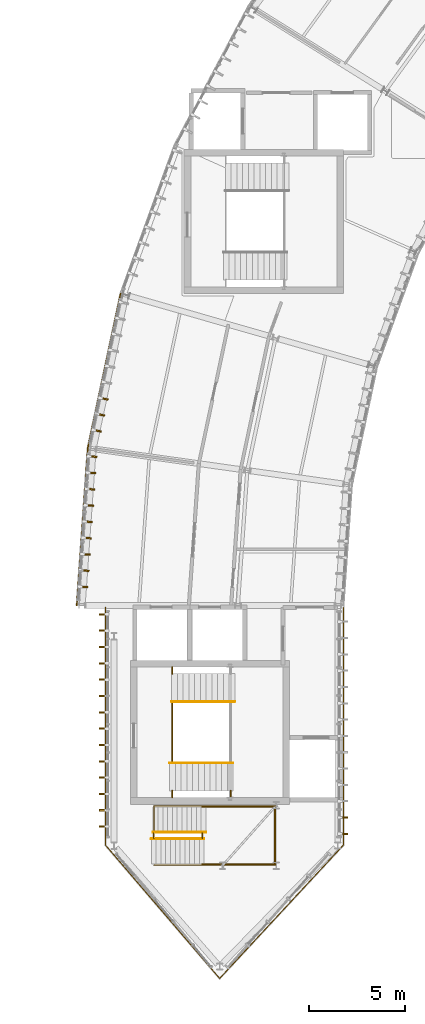
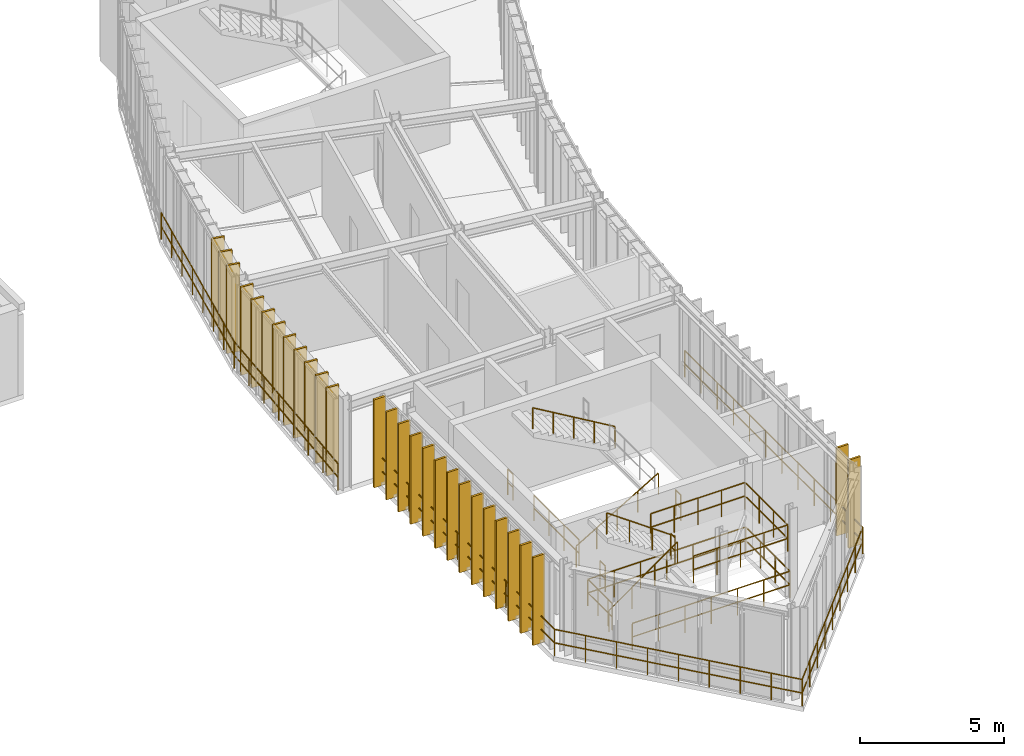
# One storey, part 35 of 41: 28 coverings, 16 railings.
"""IFC4 building model written with IfcOpenShell, lengths in metres."""

from ifc_helpers import new_model, si_unit, direction, frame, origin, origin_2d, place, context, subcontext, project, spatial, rectangle, circle, extrude, material, layer, layer_set, type_object, element, save


model = new_model("IFC4")

# Units and contexts
model_context = context("Model", 3, precision=1e-05, world=origin(), true_north=direction((0.0, 1.0)))
body_context = subcontext(model_context, "Body", "Model", "MODEL_VIEW")
ifc_project = project(units=[si_unit("LENGTHUNIT", "METRE"), si_unit("AREAUNIT", "SQUARE_METRE"), si_unit("VOLUMEUNIT", "CUBIC_METRE"), si_unit("PLANEANGLEUNIT", "RADIAN"), si_unit("MASSUNIT", "GRAM", prefix="KILO"), si_unit("THERMODYNAMICTEMPERATUREUNIT", "KELVIN"), si_unit("POWERUNIT", "WATT")], contexts=[model_context])

# Site, building, storey
site_placement = place(None, origin())
site = spatial("IfcSite", under=ifc_project, at=site_placement, CompositionType="ELEMENT")
building_placement = place(site_placement, origin())
building = spatial("IfcBuilding", under=site, at=building_placement, Name="Solvatero Civic Police Headquarters", CompositionType="ELEMENT")
storey_placement = place(building_placement, frame((0.0, 0.0, 17.699951171875)))
storey = spatial("IfcBuildingStorey", under=building, at=storey_placement, Name="L04", CompositionType="ELEMENT", Elevation=17.699951171875)

# Coverings
ifc_material_1 = material(Name="Anodized Bronze Aluminium", Category="aluminium")
ifc_layer = layer(ifc_material_1, 0.080078125)
ifc_layer_set = layer_set([ifc_layer], Name="Anodized Bronze Aluminium")
covering_type = type_object("IfcCoveringType", Name="COV-FIN-480", PredefinedType="CLADDING", material=ifc_layer_set)
for number, where, z_axis, x_axis, name in (
    (1, (36.455322265625, 36.77099609375, -0.02001953125), (0.0, 0.0, 1.0), (-0.207911690818, -0.978147600734, 0.0), "Vertical Brise-Soleil Fin 0944"),
    (2, (36.278564453125, 35.939453125, -0.02001953125), (0.0, 0.0, 1.0), (-0.207911690818, -0.978147600734, 0.0), "Vertical Brise-Soleil Fin 0945"),
    (3, (36.101806640625, 35.10791015625, -0.02001953125), (0.0, 0.0, 1.0), (-0.207911690818, -0.978147600734, 0.0), "Vertical Brise-Soleil Fin 0946"),
    (4, (35.872802734375, 33.7548828125, -0.02001953125), (0.0, 0.0, 1.0), (-0.069739062956, -0.997565267588, 0.0), "Vertical Brise-Soleil Fin 0954"),
    (5, (35.8134765625, 32.906982421875, -0.02001953125), (0.0, 0.0, 1.0), (-0.069739062956, -0.997565267588, 0.0), "Vertical Brise-Soleil Fin 0955"),
    (6, (35.754150390625, 32.05908203125, -0.02001953125), (0.0, 0.0, 1.0), (-0.069739062956, -0.997565267588, 0.0), "Vertical Brise-Soleil Fin 0956"),
    (7, (35.69482421875, 31.211181640625, -0.02001953125), (0.0, 0.0, 1.0), (-0.069739062956, -0.997565267588, 0.0), "Vertical Brise-Soleil Fin 0957"),
    (8, (35.635498046875, 30.36328125, -0.02001953125), (0.0, 0.0, 1.0), (-0.069739062956, -0.997565267588, 0.0), "Vertical Brise-Soleil Fin 0958"),
    (9, (35.576416015625, 29.515380859375, -0.02001953125), (0.0, 0.0, 1.0), (-0.069739062956, -0.997565267588, 0.0), "Vertical Brise-Soleil Fin 0959"),
    (10, (35.51708984375, 28.66748046875, -0.02001953125), (0.0, 0.0, 1.0), (-0.069739062956, -0.997565267588, 0.0), "Vertical Brise-Soleil Fin 0960"),
    (11, (35.457763671875, 27.8193359375, -0.02001953125), (0.0, 0.0, 1.0), (-0.069739062956, -0.997565267588, 0.0), "Vertical Brise-Soleil Fin 0961"),
    (12, (35.3984375, 26.971435546875, -0.02001953125), (0.0, 0.0, 1.0), (-0.069739062956, -0.997565267588, 0.0), "Vertical Brise-Soleil Fin 0962"),
    (13, (36.469970703125, 25.5400390625, -0.02001953125), (0.0, 0.0, 1.0), (0.0, -1.0, 0.0), "Vertical Brise-Soleil Fin 0970"),
    (14, (36.469970703125, 24.68994140625, -0.02001953125), (0.0, 0.0, 1.0), (0.0, -1.0, 0.0), "Vertical Brise-Soleil Fin 0971"),
    (15, (36.469970703125, 23.840087890625, -0.02001953125), (0.0, 0.0, 1.0), (0.0, -1.0, 0.0), "Vertical Brise-Soleil Fin 0972"),
    (16, (36.469970703125, 22.989990234375, -0.02001953125), (0.0, 0.0, 1.0), (0.0, -1.0, 0.0), "Vertical Brise-Soleil Fin 0973"),
    (17, (36.469970703125, 22.139892578125, -0.02001953125), (0.0, 0.0, 1.0), (0.0, -1.0, 0.0), "Vertical Brise-Soleil Fin 0974"),
    (18, (36.469970703125, 21.2900390625, -0.02001953125), (0.0, 0.0, 1.0), (0.0, -1.0, 0.0), "Vertical Brise-Soleil Fin 0975"),
    (19, (36.469970703125, 20.43994140625, -0.02001953125), (0.0, 0.0, 1.0), (0.0, -1.0, 0.0), "Vertical Brise-Soleil Fin 0976"),
    (20, (36.469970703125, 19.590087890625, -0.02001953125), (0.0, 0.0, 1.0), (0.0, -1.0, 0.0), "Vertical Brise-Soleil Fin 0977"),
    (21, (36.469970703125, 18.739990234375, -0.02001953125), (0.0, 0.0, 1.0), (0.0, -1.0, 0.0), "Vertical Brise-Soleil Fin 0978"),
    (22, (36.469970703125, 17.889892578125, -0.02001953125), (0.0, 0.0, 1.0), (0.0, -1.0, 0.0), "Vertical Brise-Soleil Fin 0979"),
    (23, (36.469970703125, 17.0400390625, -0.02001953125), (0.0, 0.0, 1.0), (0.0, -1.0, 0.0), "Vertical Brise-Soleil Fin 0980"),
    (24, (36.469970703125, 16.18994140625, -0.02001953125), (0.0, 0.0, 1.0), (0.0, -1.0, 0.0), "Vertical Brise-Soleil Fin 0981"),
    (25, (36.469970703125, 15.340087890625, -0.02001953125), (0.0, 0.0, 1.0), (0.0, -1.0, 0.0), "Vertical Brise-Soleil Fin 0982"),
    (26, (36.469970703125, 14.489990234375, -0.02001953125), (0.0, 0.0, 1.0), (0.0, -1.0, 0.0), "Vertical Brise-Soleil Fin 0983"),
    (27, (48.929931640625, 14.110107421875, -0.02001953125), (0.0, 0.0, 1.0), (0.0, 1.0, 0.0), "Vertical Brise-Soleil Fin 0984"),
    (28, (48.929931640625, 14.9599609375, -0.02001953125), (0.0, 0.0, 1.0), (0.0, 1.0, 0.0), "Vertical Brise-Soleil Fin 0985"),
):
    element("IfcCovering", number, at=place(storey_placement, frame(where, z_axis=z_axis, x_axis=x_axis)), inside=storey, type_object=covering_type, Name=name, PredefinedType="CLADDING", context=body_context, shape_type="SweptSolid", body=[
        extrude(rectangle(XDim=0.080078125, YDim=0.47998046875, at=origin_2d()), origin(), (0.0, 0.0, 1.0), 3.739990234375),
    ])

# Railings
ifc_material_2 = material(Name="Anodized Bronze and Laminated Glass", Category="glass")
railing_type_1 = type_object("IfcRailingType", Name="RL-BAL-115", PredefinedType="BALUSTRADE", material=ifc_material_2)
railing_1_placement = place(storey_placement, frame((39.080078125, 12.47998046875, 0.0)))
element("IfcRailing", 29, at=railing_1_placement, inside=storey, type_object=railing_type_1, Name="Prow Stair Well Balustrade L04 SE", PredefinedType="BALUSTRADE", context=body_context, shape_type="SweptSolid", body=[
    extrude(circle(Radius=0.02392578125, at=origin_2d()), frame((0.0, 0.0, 1.1259765625), z_axis=(1.0, 0.0, 0.0), x_axis=(0.0, 1.0, 0.0)), (0.0, 0.0, 1.0), 6.33984375),
    extrude(circle(Radius=0.02392578125, at=origin_2d()), frame((0.0, 0.0, 0.55078125), z_axis=(1.0, 0.0, 0.0), x_axis=(0.0, 1.0, 0.0)), (0.0, 0.0, 1.0), 6.33984375),
    extrude(circle(Radius=0.02392578125, at=origin_2d()), frame((6.33984375, 0.0, 1.1259765625), z_axis=(0.0, 1.0, 0.0), x_axis=(-1.0, 0.0, 0.0)), (0.0, 0.0, 1.0), 3.090087890625),
    extrude(circle(Radius=0.02392578125, at=origin_2d()), frame((6.33984375, 0.0, 0.55078125), z_axis=(0.0, 1.0, 0.0), x_axis=(-1.0, 0.0, 0.0)), (0.0, 0.0, 1.0), 3.090087890625),
    extrude(circle(Radius=0.02099609375, at=origin_2d()), origin(), (0.0, 0.0, 1.0), 1.101806640625),
    extrude(circle(Radius=0.02099609375, at=origin_2d()), frame((1.056640625, 0.0, 0.0)), (0.0, 0.0, 1.0), 1.101806640625),
    extrude(circle(Radius=0.02099609375, at=origin_2d()), frame((2.11328125, 0.0, 0.0)), (0.0, 0.0, 1.0), 1.101806640625),
    extrude(circle(Radius=0.02099609375, at=origin_2d()), frame((3.169921875, 0.0, 0.0)), (0.0, 0.0, 1.0), 1.101806640625),
    extrude(circle(Radius=0.02099609375, at=origin_2d()), frame((4.2265625, 0.0, 0.0)), (0.0, 0.0, 1.0), 1.101806640625),
    extrude(circle(Radius=0.02099609375, at=origin_2d()), frame((5.283203125, 0.0, 0.0)), (0.0, 0.0, 1.0), 1.101806640625),
    extrude(circle(Radius=0.02099609375, at=origin_2d()), frame((6.33984375, 0.0, 0.0)), (0.0, 0.0, 1.0), 1.101806640625),
    extrude(circle(Radius=0.02099609375, at=origin_2d()), frame((6.33984375, 1.030029296875, 0.0)), (0.0, 0.0, 1.0), 1.101806640625),
    extrude(circle(Radius=0.02099609375, at=origin_2d()), frame((6.33984375, 2.06005859375, 0.0)), (0.0, 0.0, 1.0), 1.101806640625),
    extrude(circle(Radius=0.02099609375, at=origin_2d()), frame((6.33984375, 3.090087890625, 0.0)), (0.0, 0.0, 1.0), 1.101806640625),
])
railing_2_placement = place(storey_placement, frame((45.419921875, 15.570068359375, 0.0)))
element("IfcRailing", 30, at=railing_2_placement, inside=storey, type_object=railing_type_1, Name="Prow Stair Well Balustrade L04 NW", PredefinedType="BALUSTRADE", context=body_context, shape_type="SweptSolid", body=[
    extrude(circle(Radius=0.02392578125, at=origin_2d()), frame((0.0, 0.0, 1.1259765625), z_axis=(-1.0, 0.0, 0.0), x_axis=(0.0, -1.0, 0.0)), (0.0, 0.0, 1.0), 6.33984375),
    extrude(circle(Radius=0.02392578125, at=origin_2d()), frame((0.0, 0.0, 0.55078125), z_axis=(-1.0, 0.0, 0.0), x_axis=(0.0, -1.0, 0.0)), (0.0, 0.0, 1.0), 6.33984375),
    extrude(circle(Radius=0.02392578125, at=origin_2d()), frame((-6.33984375, 0.0, 1.1259765625), z_axis=(0.0, -1.0, 0.0), x_axis=(1.0, 0.0, 0.0)), (0.0, 0.0, 1.0), 1.41015625),
    extrude(circle(Radius=0.02392578125, at=origin_2d()), frame((-6.33984375, 0.0, 0.55078125), z_axis=(0.0, -1.0, 0.0), x_axis=(1.0, 0.0, 0.0)), (0.0, 0.0, 1.0), 1.41015625),
    extrude(circle(Radius=0.02099609375, at=origin_2d()), origin(), (0.0, 0.0, 1.0), 1.101806640625),
    extrude(circle(Radius=0.02099609375, at=origin_2d()), frame((-1.056640625, 0.0, 0.0)), (0.0, 0.0, 1.0), 1.101806640625),
    extrude(circle(Radius=0.02099609375, at=origin_2d()), frame((-2.11328125, 0.0, 0.0)), (0.0, 0.0, 1.0), 1.101806640625),
    extrude(circle(Radius=0.02099609375, at=origin_2d()), frame((-3.169921875, 0.0, 0.0)), (0.0, 0.0, 1.0), 1.101806640625),
    extrude(circle(Radius=0.02099609375, at=origin_2d()), frame((-4.2265625, 0.0, 0.0)), (0.0, 0.0, 1.0), 1.101806640625),
    extrude(circle(Radius=0.02099609375, at=origin_2d()), frame((-5.283203125, 0.0, 0.0)), (0.0, 0.0, 1.0), 1.101806640625),
    extrude(circle(Radius=0.02099609375, at=origin_2d()), frame((-6.33984375, 0.0, 0.0)), (0.0, 0.0, 1.0), 1.101806640625),
    extrude(circle(Radius=0.02099609375, at=origin_2d()), frame((-6.33984375, -0.705078125, 0.0)), (0.0, 0.0, 1.0), 1.101806640625),
    extrude(circle(Radius=0.02099609375, at=origin_2d()), frame((-6.33984375, -1.41015625, 0.0)), (0.0, 0.0, 1.0), 1.101806640625),
])
railing_3_placement = place(storey_placement, frame((39.080078125, 13.8798828125, 0.0)))
element("IfcRailing", 31, at=railing_3_placement, inside=storey, type_object=railing_type_1, Name="Prow Stair Well West Slot L04", PredefinedType="BALUSTRADE", context=body_context, shape_type="SweptSolid", body=[
    extrude(circle(Radius=0.02392578125, at=origin_2d()), frame((0.0, 0.0, 1.1259765625), z_axis=(0.0, 1.0, 0.0), x_axis=(-1.0, 0.0, 0.0)), (0.0, 0.0, 1.0), 0.280029296875),
    extrude(circle(Radius=0.02392578125, at=origin_2d()), frame((0.0, 0.0, 0.55078125), z_axis=(0.0, 1.0, 0.0), x_axis=(-1.0, 0.0, 0.0)), (0.0, 0.0, 1.0), 0.280029296875),
    extrude(circle(Radius=0.02099609375, at=origin_2d()), origin(), (0.0, 0.0, 1.0), 1.101806640625),
    extrude(circle(Radius=0.02099609375, at=origin_2d()), frame((0.0, 0.280029296875, 0.0)), (0.0, 0.0, 1.0), 1.101806640625),
])
railing_4_placement = place(storey_placement, frame((41.570068359375, 12.5400390625, 1.949951171875)))
element("IfcRailing", 32, at=railing_4_placement, inside=storey, type_object=railing_type_1, Name="ST-PRW L04 Half-Landing Balustrade", PredefinedType="BALUSTRADE", context=body_context, shape_type="SweptSolid", body=[
    extrude(circle(Radius=0.02392578125, at=origin_2d()), frame((0.0, 0.0, 1.1259765625), z_axis=(1.0, 0.0, 0.0), x_axis=(0.0, 1.0, 0.0)), (0.0, 0.0, 1.0), 3.7900390625),
    extrude(circle(Radius=0.02392578125, at=origin_2d()), frame((0.0, 0.0, 0.55078125), z_axis=(1.0, 0.0, 0.0), x_axis=(0.0, 1.0, 0.0)), (0.0, 0.0, 1.0), 3.7900390625),
    extrude(circle(Radius=0.02392578125, at=origin_2d()), frame((3.7900390625, 0.0, 1.1259765625), z_axis=(0.0, 1.0, 0.0), x_axis=(-1.0, 0.0, 0.0)), (0.0, 0.0, 1.0), 2.969970703125),
    extrude(circle(Radius=0.02392578125, at=origin_2d()), frame((3.7900390625, 0.0, 0.55078125), z_axis=(0.0, 1.0, 0.0), x_axis=(-1.0, 0.0, 0.0)), (0.0, 0.0, 1.0), 2.969970703125),
    extrude(circle(Radius=0.02392578125, at=origin_2d()), frame((3.7900390625, 2.969970703125, 1.1259765625), z_axis=(-1.0, 0.0, 0.0), x_axis=(0.0, -1.0, 0.0)), (0.0, 0.0, 1.0), 3.7900390625),
    extrude(circle(Radius=0.02392578125, at=origin_2d()), frame((3.7900390625, 2.969970703125, 0.55078125), z_axis=(-1.0, 0.0, 0.0), x_axis=(0.0, -1.0, 0.0)), (0.0, 0.0, 1.0), 3.7900390625),
    extrude(circle(Radius=0.02099609375, at=origin_2d()), origin(), (0.0, 0.0, 1.0), 1.101806640625),
    extrude(circle(Radius=0.02099609375, at=origin_2d()), frame((0.947509765625, 0.0, 0.0)), (0.0, 0.0, 1.0), 1.101806640625),
    extrude(circle(Radius=0.02099609375, at=origin_2d()), frame((1.89501953125, 0.0, 0.0)), (0.0, 0.0, 1.0), 1.101806640625),
    extrude(circle(Radius=0.02099609375, at=origin_2d()), frame((2.842529296875, 0.0, 0.0)), (0.0, 0.0, 1.0), 1.101806640625),
    extrude(circle(Radius=0.02099609375, at=origin_2d()), frame((3.7900390625, 0.0, 0.0)), (0.0, 0.0, 1.0), 1.101806640625),
    extrude(circle(Radius=0.02099609375, at=origin_2d()), frame((3.7900390625, 0.989990234375, 0.0)), (0.0, 0.0, 1.0), 1.101806640625),
    extrude(circle(Radius=0.02099609375, at=origin_2d()), frame((3.7900390625, 1.97998046875, 0.0)), (0.0, 0.0, 1.0), 1.101806640625),
    extrude(circle(Radius=0.02099609375, at=origin_2d()), frame((3.7900390625, 2.969970703125, 0.0)), (0.0, 0.0, 1.0), 1.101806640625),
    extrude(circle(Radius=0.02099609375, at=origin_2d()), frame((2.842529296875, 2.969970703125, 0.0)), (0.0, 0.0, 1.0), 1.101806640625),
    extrude(circle(Radius=0.02099609375, at=origin_2d()), frame((1.89501953125, 2.969970703125, 0.0)), (0.0, 0.0, 1.0), 1.101806640625),
    extrude(circle(Radius=0.02099609375, at=origin_2d()), frame((0.947509765625, 2.969970703125, 0.0)), (0.0, 0.0, 1.0), 1.101806640625),
    extrude(circle(Radius=0.02099609375, at=origin_2d()), frame((0.0, 2.969970703125, 0.0)), (0.0, 0.0, 1.0), 1.101806640625),
])
railing_5_placement = place(storey_placement, frame((36.56005859375, 25.89990234375, 0.0)))
element("IfcRailing", 33, at=railing_5_placement, inside=storey, type_object=railing_type_1, Name="Glazed Facade Sill Balustrade RL-L04-PROW-PERIM", PredefinedType="BALUSTRADE", context=body_context, shape_type="SweptSolid", body=[
    extrude(circle(Radius=0.02392578125, at=origin_2d()), frame((0.0, 0.0, 1.1259765625), z_axis=(0.0, -1.0, 0.0), x_axis=(1.0, 0.0, 0.0)), (0.0, 0.0, 1.0), 12.3798828125),
    extrude(circle(Radius=0.02392578125, at=origin_2d()), frame((0.0, 0.0, 0.55078125), z_axis=(0.0, -1.0, 0.0), x_axis=(1.0, 0.0, 0.0)), (0.0, 0.0, 1.0), 12.3798828125),
    extrude(circle(Radius=0.02392578125, at=origin_2d()), frame((0.0, -12.3798828125, 1.1259765625), z_axis=(0.65024976551, -0.759720502852, 0.0), x_axis=(0.759720502852, 0.65024976551, 0.0)), (0.0, 0.0, 1.0), 9.134765625),
    extrude(circle(Radius=0.02392578125, at=origin_2d()), frame((0.0, -12.3798828125, 0.55078125), z_axis=(0.65024976551, -0.759720502852, 0.0), x_axis=(0.759720502852, 0.65024976551, 0.0)), (0.0, 0.0, 1.0), 9.134765625),
    extrude(circle(Radius=0.02392578125, at=origin_2d()), frame((5.93994140625, -19.31982421875, 1.1259765625), z_axis=(0.680207746239, 0.733019387163, 0.0), x_axis=(-0.733019387163, 0.680207746239, 0.0)), (0.0, 0.0, 1.0), 9.467529296875),
    extrude(circle(Radius=0.02392578125, at=origin_2d()), frame((5.93994140625, -19.31982421875, 0.55078125), z_axis=(0.680207746239, 0.733019387163, 0.0), x_axis=(-0.733019387163, 0.680207746239, 0.0)), (0.0, 0.0, 1.0), 9.467529296875),
    extrude(circle(Radius=0.02392578125, at=origin_2d()), frame((12.3798828125, -12.3798828125, 1.1259765625), z_axis=(0.0, 1.0, 0.0), x_axis=(-1.0, 0.0, 0.0)), (0.0, 0.0, 1.0), 12.3798828125),
    extrude(circle(Radius=0.02392578125, at=origin_2d()), frame((12.3798828125, -12.3798828125, 0.55078125), z_axis=(0.0, 1.0, 0.0), x_axis=(-1.0, 0.0, 0.0)), (0.0, 0.0, 1.0), 12.3798828125),
    extrude(circle(Radius=0.02099609375, at=origin_2d()), origin(), (0.0, 0.0, 1.0), 1.101806640625),
    extrude(circle(Radius=0.02099609375, at=origin_2d()), frame((0.0, -1.12548828125, 0.0)), (0.0, 0.0, 1.0), 1.101806640625),
    extrude(circle(Radius=0.02099609375, at=origin_2d()), frame((0.0, -2.2509765625, 0.0)), (0.0, 0.0, 1.0), 1.101806640625),
    extrude(circle(Radius=0.02099609375, at=origin_2d()), frame((0.0, -3.376220703125, 0.0)), (0.0, 0.0, 1.0), 1.101806640625),
    extrude(circle(Radius=0.02099609375, at=origin_2d()), frame((0.0, -4.501708984375, 0.0)), (0.0, 0.0, 1.0), 1.101806640625),
    extrude(circle(Radius=0.02099609375, at=origin_2d()), frame((0.0, -5.627197265625, 0.0)), (0.0, 0.0, 1.0), 1.101806640625),
    extrude(circle(Radius=0.02099609375, at=origin_2d()), frame((0.0, -6.752685546875, 0.0)), (0.0, 0.0, 1.0), 1.101806640625),
    extrude(circle(Radius=0.02099609375, at=origin_2d()), frame((0.0, -7.878173828125, 0.0)), (0.0, 0.0, 1.0), 1.101806640625),
    extrude(circle(Radius=0.02099609375, at=origin_2d()), frame((0.0, -9.003662109375, 0.0)), (0.0, 0.0, 1.0), 1.101806640625),
    extrude(circle(Radius=0.02099609375, at=origin_2d()), frame((0.0, -10.12890625, 0.0)), (0.0, 0.0, 1.0), 1.101806640625),
    extrude(circle(Radius=0.02099609375, at=origin_2d()), frame((0.0, -11.25439453125, 0.0)), (0.0, 0.0, 1.0), 1.101806640625),
    extrude(circle(Radius=0.02099609375, at=origin_2d()), frame((0.0, -12.3798828125, 0.0)), (0.0, 0.0, 1.0), 1.101806640625),
    extrude(circle(Radius=0.02099609375, at=origin_2d()), frame((0.742431640625, -13.247314453125, 0.0)), (0.0, 0.0, 1.0), 1.101806640625),
    extrude(circle(Radius=0.02099609375, at=origin_2d()), frame((1.48486328125, -14.11474609375, 0.0)), (0.0, 0.0, 1.0), 1.101806640625),
    extrude(circle(Radius=0.02099609375, at=origin_2d()), frame((2.2275390625, -14.982421875, 0.0)), (0.0, 0.0, 1.0), 1.101806640625),
    extrude(circle(Radius=0.02099609375, at=origin_2d()), frame((2.969970703125, -15.849853515625, 0.0)), (0.0, 0.0, 1.0), 1.101806640625),
    extrude(circle(Radius=0.02099609375, at=origin_2d()), frame((3.71240234375, -16.71728515625, 0.0)), (0.0, 0.0, 1.0), 1.101806640625),
    extrude(circle(Radius=0.02099609375, at=origin_2d()), frame((4.455078125, -17.5849609375, 0.0)), (0.0, 0.0, 1.0), 1.101806640625),
    extrude(circle(Radius=0.02099609375, at=origin_2d()), frame((5.197509765625, -18.452392578125, 0.0)), (0.0, 0.0, 1.0), 1.101806640625),
    extrude(circle(Radius=0.02099609375, at=origin_2d()), frame((5.93994140625, -19.31982421875, 0.0)), (0.0, 0.0, 1.0), 1.101806640625),
    extrude(circle(Radius=0.02099609375, at=origin_2d()), frame((6.744873046875, -18.452392578125, 0.0)), (0.0, 0.0, 1.0), 1.101806640625),
    extrude(circle(Radius=0.02099609375, at=origin_2d()), frame((7.5498046875, -17.5849609375, 0.0)), (0.0, 0.0, 1.0), 1.101806640625),
    extrude(circle(Radius=0.02099609375, at=origin_2d()), frame((8.35498046875, -16.71728515625, 0.0)), (0.0, 0.0, 1.0), 1.101806640625),
    extrude(circle(Radius=0.02099609375, at=origin_2d()), frame((9.159912109375, -15.849853515625, 0.0)), (0.0, 0.0, 1.0), 1.101806640625),
    extrude(circle(Radius=0.02099609375, at=origin_2d()), frame((9.96484375, -14.982421875, 0.0)), (0.0, 0.0, 1.0), 1.101806640625),
    extrude(circle(Radius=0.02099609375, at=origin_2d()), frame((10.77001953125, -14.11474609375, 0.0)), (0.0, 0.0, 1.0), 1.101806640625),
    extrude(circle(Radius=0.02099609375, at=origin_2d()), frame((11.574951171875, -13.247314453125, 0.0)), (0.0, 0.0, 1.0), 1.101806640625),
    extrude(circle(Radius=0.02099609375, at=origin_2d()), frame((12.3798828125, -12.3798828125, 0.0)), (0.0, 0.0, 1.0), 1.101806640625),
    extrude(circle(Radius=0.02099609375, at=origin_2d()), frame((12.3798828125, -11.25439453125, 0.0)), (0.0, 0.0, 1.0), 1.101806640625),
    extrude(circle(Radius=0.02099609375, at=origin_2d()), frame((12.3798828125, -10.12890625, 0.0)), (0.0, 0.0, 1.0), 1.101806640625),
    extrude(circle(Radius=0.02099609375, at=origin_2d()), frame((12.3798828125, -9.003662109375, 0.0)), (0.0, 0.0, 1.0), 1.101806640625),
    extrude(circle(Radius=0.02099609375, at=origin_2d()), frame((12.3798828125, -7.878173828125, 0.0)), (0.0, 0.0, 1.0), 1.101806640625),
    extrude(circle(Radius=0.02099609375, at=origin_2d()), frame((12.3798828125, -6.752685546875, 0.0)), (0.0, 0.0, 1.0), 1.101806640625),
    extrude(circle(Radius=0.02099609375, at=origin_2d()), frame((12.3798828125, -5.627197265625, 0.0)), (0.0, 0.0, 1.0), 1.101806640625),
    extrude(circle(Radius=0.02099609375, at=origin_2d()), frame((12.3798828125, -4.501708984375, 0.0)), (0.0, 0.0, 1.0), 1.101806640625),
    extrude(circle(Radius=0.02099609375, at=origin_2d()), frame((12.3798828125, -3.376220703125, 0.0)), (0.0, 0.0, 1.0), 1.101806640625),
    extrude(circle(Radius=0.02099609375, at=origin_2d()), frame((12.3798828125, -2.2509765625, 0.0)), (0.0, 0.0, 1.0), 1.101806640625),
    extrude(circle(Radius=0.02099609375, at=origin_2d()), frame((12.3798828125, -1.12548828125, 0.0)), (0.0, 0.0, 1.0), 1.101806640625),
    extrude(circle(Radius=0.02099609375, at=origin_2d()), frame((12.3798828125, 0.0, 0.0)), (0.0, 0.0, 1.0), 1.101806640625),
])
railing_6_placement = place(storey_placement, frame((37.34326171875, 42.24609375, 0.0)))
element("IfcRailing", 34, at=railing_6_placement, inside=storey, type_object=railing_type_1, Name="Glazed Facade Sill Balustrade RL-L04-ARCOUT-B11", PredefinedType="BALUSTRADE", context=body_context, shape_type="SweptSolid", body=[
    extrude(circle(Radius=0.02392578125, at=origin_2d()), frame((0.0, 0.0, 1.1259765625), z_axis=(-0.207920896775, -0.978145643902, 0.0), x_axis=(0.978145643902, -0.207920896775, 0.0)), (0.0, 0.0, 1.0), 8.222900390625),
    extrude(circle(Radius=0.02392578125, at=origin_2d()), frame((0.0, 0.0, 0.55078125), z_axis=(-0.207920896775, -0.978145643902, 0.0), x_axis=(0.978145643902, -0.207920896775, 0.0)), (0.0, 0.0, 1.0), 8.222900390625),
    extrude(circle(Radius=0.02099609375, at=origin_2d()), origin(), (0.0, 0.0, 1.0), 1.101806640625),
    extrude(circle(Radius=0.02099609375, at=origin_2d()), frame((-0.244140625, -1.14892578125, 0.0)), (0.0, 0.0, 1.0), 1.101806640625),
    extrude(circle(Radius=0.02099609375, at=origin_2d()), frame((-0.488525390625, -2.298095703125, 0.0)), (0.0, 0.0, 1.0), 1.101806640625),
    extrude(circle(Radius=0.02099609375, at=origin_2d()), frame((-0.732666015625, -3.447021484375, 0.0)), (0.0, 0.0, 1.0), 1.101806640625),
    extrude(circle(Radius=0.02099609375, at=origin_2d()), frame((-0.97705078125, -4.59619140625, 0.0)), (0.0, 0.0, 1.0), 1.101806640625),
    extrude(circle(Radius=0.02099609375, at=origin_2d()), frame((-1.22119140625, -5.7451171875, 0.0)), (0.0, 0.0, 1.0), 1.101806640625),
    extrude(circle(Radius=0.02099609375, at=origin_2d()), frame((-1.465576171875, -6.894287109375, 0.0)), (0.0, 0.0, 1.0), 1.101806640625),
    extrude(circle(Radius=0.02099609375, at=origin_2d()), frame((-1.709716796875, -8.043212890625, 0.0)), (0.0, 0.0, 1.0), 1.101806640625),
])
railing_7_placement = place(storey_placement, frame((35.633544921875, 34.202880859375, 0.0)))
element("IfcRailing", 35, at=railing_7_placement, inside=storey, type_object=railing_type_1, Name="Glazed Facade Sill Balustrade RL-L04-ARCOUT-B12", PredefinedType="BALUSTRADE", context=body_context, shape_type="SweptSolid", body=[
    extrude(circle(Radius=0.02392578125, at=origin_2d()), frame((0.0, 0.0, 1.1259765625), z_axis=(-0.069742558988, -0.997565023177, 0.0), x_axis=(0.997565023177, -0.069742558988, 0.0)), (0.0, 0.0, 1.0), 8.222900390625),
    extrude(circle(Radius=0.02392578125, at=origin_2d()), frame((0.0, 0.0, 0.55078125), z_axis=(-0.069742558988, -0.997565023177, 0.0), x_axis=(0.997565023177, -0.069742558988, 0.0)), (0.0, 0.0, 1.0), 8.222900390625),
    extrude(circle(Radius=0.02099609375, at=origin_2d()), origin(), (0.0, 0.0, 1.0), 1.101806640625),
    extrude(circle(Radius=0.02099609375, at=origin_2d()), frame((-0.08203125, -1.171875, 0.0)), (0.0, 0.0, 1.0), 1.101806640625),
    extrude(circle(Radius=0.02099609375, at=origin_2d()), frame((-0.163818359375, -2.34375, 0.0)), (0.0, 0.0, 1.0), 1.101806640625),
    extrude(circle(Radius=0.02099609375, at=origin_2d()), frame((-0.245849609375, -3.515625, 0.0)), (0.0, 0.0, 1.0), 1.101806640625),
    extrude(circle(Radius=0.02099609375, at=origin_2d()), frame((-0.32763671875, -4.687255859375, 0.0)), (0.0, 0.0, 1.0), 1.101806640625),
    extrude(circle(Radius=0.02099609375, at=origin_2d()), frame((-0.40966796875, -5.859130859375, 0.0)), (0.0, 0.0, 1.0), 1.101806640625),
    extrude(circle(Radius=0.02099609375, at=origin_2d()), frame((-0.491455078125, -7.031005859375, 0.0)), (0.0, 0.0, 1.0), 1.101806640625),
    extrude(circle(Radius=0.02099609375, at=origin_2d()), frame((-0.573486328125, -8.202880859375, 0.0)), (0.0, 0.0, 1.0), 1.101806640625),
])
ifc_material_3 = material(Name="Painted Galvanized Steel", Category="steel")
railing_type_2 = type_object("IfcRailingType", Name="RL-GRD-110", PredefinedType="GUARDRAIL", material=ifc_material_3)
railing_8_placement = place(storey_placement, frame((40.030029296875, 17.830078125, 0.0)))
element("IfcRailing", 36, at=railing_8_placement, inside=storey, type_object=railing_type_2, Name="ST-C1 L04 Floor Well Guardrail", PredefinedType="GUARDRAIL", context=body_context, shape_type="SweptSolid", body=[
    extrude(circle(Radius=0.02392578125, at=origin_2d()), frame((0.0, 0.0, 1.09619140625), z_axis=(0.0, 1.0, 0.0), x_axis=(-1.0, 0.0, 0.0)), (0.0, 0.0, 1.0), 3.139892578125),
    extrude(circle(Radius=0.02392578125, at=origin_2d()), frame((0.0, 0.0, 0.5361328125), z_axis=(0.0, 1.0, 0.0), x_axis=(-1.0, 0.0, 0.0)), (0.0, 0.0, 1.0), 3.139892578125),
    extrude(circle(Radius=0.02099609375, at=origin_2d()), origin(), (0.0, 0.0, 1.0), 1.072021484375),
    extrude(circle(Radius=0.02099609375, at=origin_2d()), frame((0.0, 1.046630859375, 0.0)), (0.0, 0.0, 1.0), 1.072021484375),
    extrude(circle(Radius=0.02099609375, at=origin_2d()), frame((0.0, 2.09326171875, 0.0)), (0.0, 0.0, 1.0), 1.072021484375),
    extrude(circle(Radius=0.02099609375, at=origin_2d()), frame((0.0, 3.139892578125, 0.0)), (0.0, 0.0, 1.0), 1.072021484375),
])
for number, where, name in (
    (37, (40.030029296875, 16.010009765625, 0.0), "ST-C1 L04 Floor Well South Slot Guardrail"),
    (38, (40.030029296875, 22.429931640625, 0.0), "ST-C1 L04 Floor Well North Slot Guardrail"),
    (39, (43.070068359375, 16.010009765625, 1.949951171875), "ST-C1 L04 Half-Landing South Slot Guardrail"),
):
    element("IfcRailing", number, at=place(storey_placement, frame(where)), inside=storey, type_object=railing_type_2, Name=name, PredefinedType="GUARDRAIL", context=body_context, shape_type="SweptSolid", body=[
        extrude(circle(Radius=0.02392578125, at=origin_2d()), frame((0.0, 0.0, 1.09619140625), z_axis=(0.0, 1.0, 0.0), x_axis=(-1.0, 0.0, 0.0)), (0.0, 0.0, 1.0), 0.360107421875),
        extrude(circle(Radius=0.02392578125, at=origin_2d()), frame((0.0, 0.0, 0.5361328125), z_axis=(0.0, 1.0, 0.0), x_axis=(-1.0, 0.0, 0.0)), (0.0, 0.0, 1.0), 0.360107421875),
        extrude(circle(Radius=0.02099609375, at=origin_2d()), origin(), (0.0, 0.0, 1.0), 1.072021484375),
        extrude(circle(Radius=0.02099609375, at=origin_2d()), frame((0.0, 0.360107421875, 0.0)), (0.0, 0.0, 1.0), 1.072021484375),
    ])
railing_9_placement = place(storey_placement, frame((41.60009765625, 13.8798828125, 1.949951171875)))
element("IfcRailing", 40, at=railing_9_placement, inside=storey, type_object=railing_type_2, Name="ST-PRW L04 Half-Landing Slot Guardrail", PredefinedType="GUARDRAIL", context=body_context, shape_type="SweptSolid", body=[
    extrude(circle(Radius=0.02392578125, at=origin_2d()), frame((0.0, 0.0, 1.09619140625), z_axis=(0.0, 1.0, 0.0), x_axis=(-1.0, 0.0, 0.0)), (0.0, 0.0, 1.0), 0.280029296875),
    extrude(circle(Radius=0.02392578125, at=origin_2d()), frame((0.0, 0.0, 0.5361328125), z_axis=(0.0, 1.0, 0.0), x_axis=(-1.0, 0.0, 0.0)), (0.0, 0.0, 1.0), 0.280029296875),
    extrude(circle(Radius=0.02099609375, at=origin_2d()), origin(), (0.0, 0.0, 1.0), 1.072021484375),
    extrude(circle(Radius=0.02099609375, at=origin_2d()), frame((0.0, 0.280029296875, 0.0)), (0.0, 0.0, 1.0), 1.072021484375),
])
ifc_material_4 = material(Name="Brushed Stainless Steel", Category="steel")
railing_type_3 = type_object("IfcRailingType", Name="RL-HND-092", PredefinedType="HANDRAIL", material=ifc_material_4)
railing_10_placement = place(storey_placement, frame((39.89990234375, 17.800048828125, 0.0)))
element("IfcRailing", 41, at=railing_10_placement, inside=storey, type_object=railing_type_3, Name="ST-C1 L04 Flight 1 Handrail", PredefinedType="HANDRAIL", context=body_context, shape_type="SweptSolid", body=[
    extrude(circle(Radius=0.02392578125, at=origin_2d()), frame((0.0, 0.0, 0.89599609375), z_axis=(0.860935404107, 0.0, 0.508714291086), x_axis=(0.0, 1.0, 0.0)), (0.0, 0.0, 1.0), 3.8330078125),
    extrude(circle(Radius=0.02099609375, at=origin_2d()), origin(), (0.0, 0.0, 1.0), 0.871826171875),
    extrude(circle(Radius=0.02099609375, at=origin_2d()), frame((0.824951171875, 0.0, 0.487548828125)), (0.0, 0.0, 1.0), 0.871826171875),
    extrude(circle(Radius=0.02099609375, at=origin_2d()), frame((1.64990234375, 0.0, 0.97509765625)), (0.0, 0.0, 1.0), 0.871826171875),
    extrude(circle(Radius=0.02099609375, at=origin_2d()), frame((2.47509765625, 0.0, 1.46240234375)), (0.0, 0.0, 1.0), 0.871826171875),
    extrude(circle(Radius=0.02099609375, at=origin_2d()), frame((3.300048828125, 0.0, 1.949951171875)), (0.0, 0.0, 1.0), 0.871826171875),
])
railing_11_placement = place(storey_placement, frame((43.300048828125, 21.0, 1.949951171875)))
element("IfcRailing", 42, at=railing_11_placement, inside=storey, type_object=railing_type_3, Name="ST-C1 L04 Flight 2 Handrail", PredefinedType="HANDRAIL", context=body_context, shape_type="SweptSolid", body=[
    extrude(circle(Radius=0.02392578125, at=origin_2d()), frame((0.0, 0.0, 0.89599609375), z_axis=(-0.860907508178, 0.0, 0.508761498507), x_axis=(0.0, -1.0, 0.0)), (0.0, 0.0, 1.0), 3.833251953125),
    extrude(circle(Radius=0.02099609375, at=origin_2d()), origin(), (0.0, 0.0, 1.0), 0.871826171875),
    extrude(circle(Radius=0.02099609375, at=origin_2d()), frame((-0.824951171875, 0.0, 0.487548828125)), (0.0, 0.0, 1.0), 0.871826171875),
    extrude(circle(Radius=0.02099609375, at=origin_2d()), frame((-1.64990234375, 0.0, 0.97509765625)), (0.0, 0.0, 1.0), 0.871826171875),
    extrude(circle(Radius=0.02099609375, at=origin_2d()), frame((-2.47509765625, 0.0, 1.462646484375)), (0.0, 0.0, 1.0), 0.871826171875),
    extrude(circle(Radius=0.02099609375, at=origin_2d()), frame((-3.300048828125, 0.0, 1.9501953125)), (0.0, 0.0, 1.0), 0.871826171875),
])
railing_12_placement = place(storey_placement, frame((38.93994140625, 13.85009765625, 0.0)))
element("IfcRailing", 43, at=railing_12_placement, inside=storey, type_object=railing_type_3, Name="ST-PRW L04 Flight 1 Handrail", PredefinedType="HANDRAIL", context=body_context, shape_type="SweptSolid", body=[
    extrude(circle(Radius=0.02392578125, at=origin_2d()), frame((0.0, 0.0, 0.89599609375), z_axis=(0.815739725205, 0.0, 0.578419139312), x_axis=(0.0, 1.0, 0.0)), (0.0, 0.0, 1.0), 3.37109375),
    extrude(circle(Radius=0.02099609375, at=origin_2d()), origin(), (0.0, 0.0, 1.0), 0.871826171875),
    extrude(circle(Radius=0.02099609375, at=origin_2d()), frame((0.916748046875, 0.0, 0.64990234375)), (0.0, 0.0, 1.0), 0.871826171875),
    extrude(circle(Radius=0.02099609375, at=origin_2d()), frame((1.833251953125, 0.0, 1.300048828125)), (0.0, 0.0, 1.0), 0.871826171875),
    extrude(circle(Radius=0.02099609375, at=origin_2d()), frame((2.75, 0.0, 1.949951171875)), (0.0, 0.0, 1.0), 0.871826171875),
])
railing_13_placement = place(storey_placement, frame((41.7900390625, 14.18994140625, 1.949951171875)))
element("IfcRailing", 44, at=railing_13_placement, inside=storey, type_object=railing_type_3, Name="ST-PRW L04 Flight 2 Handrail", PredefinedType="HANDRAIL", context=body_context, shape_type="SweptSolid", body=[
    extrude(circle(Radius=0.02392578125, at=origin_2d()), frame((0.0, 0.0, 0.89599609375), z_axis=(-0.815705554563, 0.0, 0.578467326869), x_axis=(0.0, -1.0, 0.0)), (0.0, 0.0, 1.0), 3.371337890625),
    extrude(circle(Radius=0.02099609375, at=origin_2d()), origin(), (0.0, 0.0, 1.0), 0.871826171875),
    extrude(circle(Radius=0.02099609375, at=origin_2d()), frame((-0.916748046875, 0.0, 0.650146484375)), (0.0, 0.0, 1.0), 0.871826171875),
    extrude(circle(Radius=0.02099609375, at=origin_2d()), frame((-1.833251953125, 0.0, 1.300048828125)), (0.0, 0.0, 1.0), 0.871826171875),
    extrude(circle(Radius=0.02099609375, at=origin_2d()), frame((-2.75, 0.0, 1.9501953125)), (0.0, 0.0, 1.0), 0.871826171875),
])

save(model, "model.ifc")
